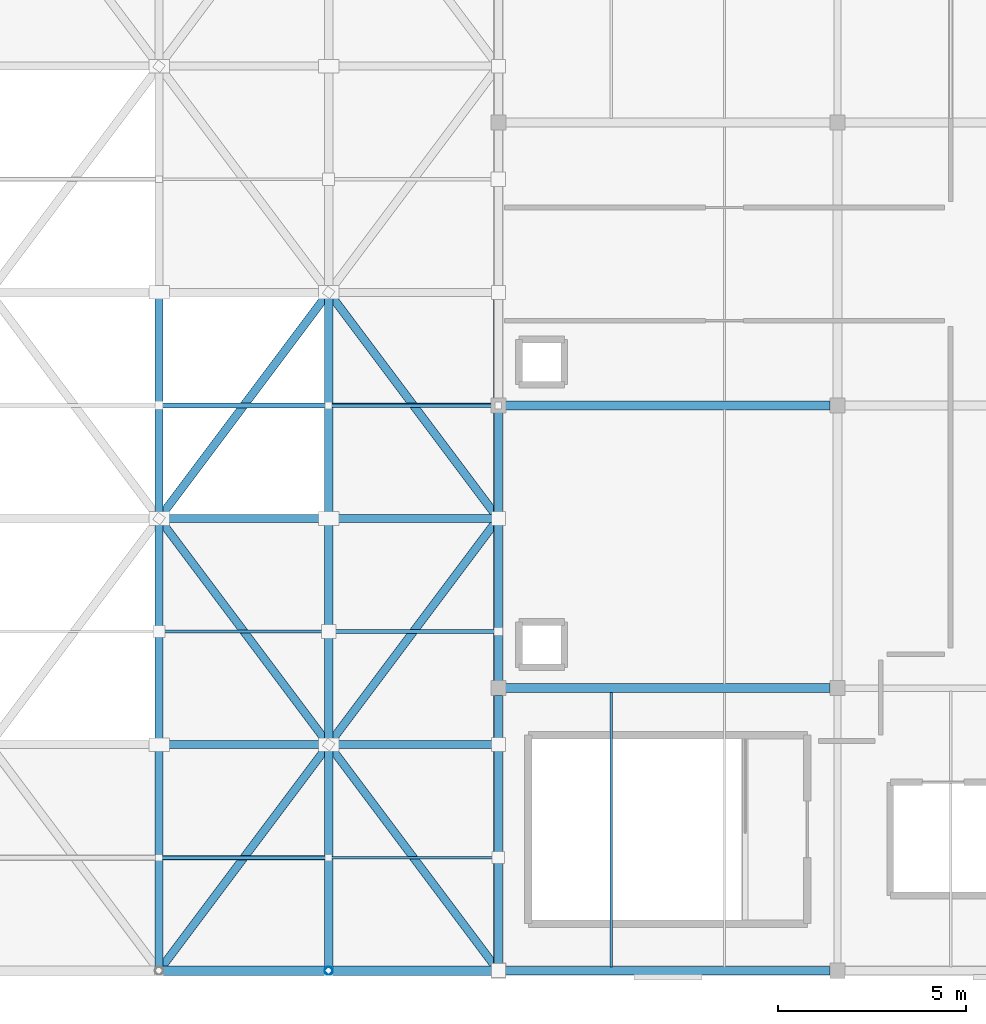
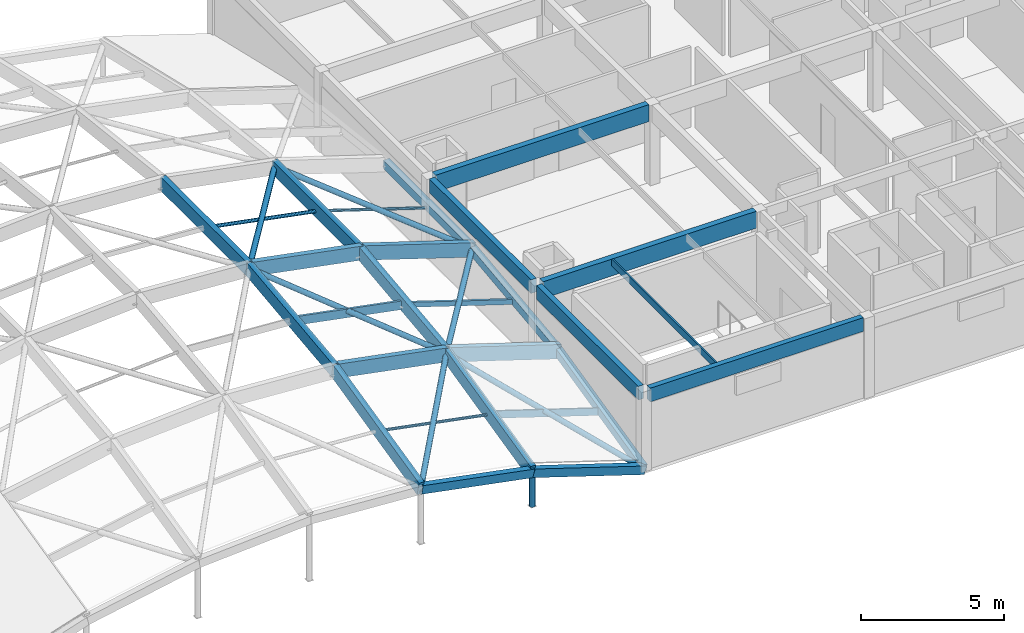
# One storey, part 16 of 81: 28 members, 6 beams.
"""IFC4 building model written with IfcOpenShell, lengths in metres."""

from ifc_helpers import new_model, si_unit, direction, frame, origin, origin_2d, place, context, subcontext, project, spatial, rectangle, hollow_rectangle, hollow_circle, extrude, material, material_profile, profile_set, type_object, element, save


model = new_model("IFC4")

# Units and contexts
model_context = context("Model", 3, precision=1e-05, world=origin(), true_north=direction((0.0, 1.0)))
body_context = subcontext(model_context, "Body", "Model", "MODEL_VIEW")
ifc_project = project(units=[si_unit("LENGTHUNIT", "METRE"), si_unit("AREAUNIT", "SQUARE_METRE"), si_unit("VOLUMEUNIT", "CUBIC_METRE"), si_unit("PLANEANGLEUNIT", "RADIAN"), si_unit("MASSUNIT", "GRAM", prefix="KILO")], contexts=[model_context])

# Site, building, storey
site_placement = place(None, origin())
site = spatial("IfcSite", under=ifc_project, at=site_placement, CompositionType="ELEMENT")
building_placement = place(site_placement, origin())
building = spatial("IfcBuilding", under=site, at=building_placement, Name="Marnridge Secondary College", CompositionType="ELEMENT")
storey_placement = place(building_placement, frame((0.0, 0.0, 8.5)))
storey = spatial("IfcBuildingStorey", under=building, at=storey_placement, Name="L02", CompositionType="ELEMENT", Elevation=8.5)

# Beams
ifc_material_1 = material(Name="Glulam timber GL18", Category="wood")
ifc_material_profile_1 = material_profile(ifc_material_1, rectangle(XDim=0.215087890625, YDim=0.5849609375, at=origin_2d()), Name="GL18 215x585")
ifc_profile_set_1 = profile_set([ifc_material_profile_1], Name="Glulam timber GL18")
beam_type_1 = type_object("IfcBeamType", Name="BM-GL585-EXT", PredefinedType="SPANDREL", material=ifc_profile_set_1)
beam_1_placement = place(storey_placement, frame((90.194091796875, 0.0, 3.12744140625), z_axis=(1.0, 0.0, 0.0), x_axis=(0.0, 1.0, 0.0)))
element("IfcBeam", 1, at=beam_1_placement, inside=storey, type_object=beam_type_1, Name="Beam BRF-L02-1262", PredefinedType="SPANDREL", context=body_context, shape_type="SweptSolid", body=[
    extrude(rectangle(XDim=0.215087890625, YDim=0.5849609375, at=origin_2d()), origin(), (0.0, 0.0, 1.0), 8.61181640625),
])
for number, where, z_axis, x_axis, name in (
    (2, (90.0, 0.194091796875, 3.12744140625), (0.0, 1.0, 0.0), (-1.0, 0.0, 0.0), "Beam BRF-L02-1264"),
    (3, (90.0, 7.694091796875, 3.12744140625), (0.0, 1.0, 0.0), (-1.0, 0.0, 0.0), "Beam BRF-L02-1267"),
):
    element("IfcBeam", number, at=place(storey_placement, frame(where, z_axis=z_axis, x_axis=x_axis)), inside=storey, type_object=beam_type_1, Name=name, PredefinedType="SPANDREL", context=body_context, shape_type="SweptSolid", body=[
        extrude(rectangle(XDim=0.215087890625, YDim=0.5849609375, at=origin_2d()), origin(), (0.0, 0.0, 1.0), 7.11181640625),
    ])
ifc_material_2 = material(Name="Glulam timber GL18", Category="wood")
ifc_material_profile_2 = material_profile(ifc_material_2, rectangle(XDim=0.239990234375, YDim=0.719970703125, at=origin_2d()), Name="GL18 240x720")
ifc_profile_set_2 = profile_set([ifc_material_profile_2], Name="Glulam timber GL18")
beam_type_2 = type_object("IfcBeamType", Name="BM-GL720-INT", PredefinedType="BEAM", material=ifc_profile_set_2)
for number, where, z_axis, x_axis, name in (
    (4, (90.194091796875, 7.5, 3.06005859375), (1.0, 0.0, 0.0), (0.0, 1.0, 0.0), "Beam BRF-L02-1263"),
    (5, (90.194091796875, 15.0, 3.06005859375), (1.0, 0.0, 0.0), (0.0, 1.0, 0.0), "Beam BRF-L02-1266"),
):
    element("IfcBeam", number, at=place(storey_placement, frame(where, z_axis=z_axis, x_axis=x_axis)), inside=storey, type_object=beam_type_2, Name=name, PredefinedType="BEAM", context=body_context, shape_type="SweptSolid", body=[
        extrude(rectangle(XDim=0.239990234375, YDim=0.719970703125, at=origin_2d()), origin(), (0.0, 0.0, 1.0), 8.61181640625),
    ])
ifc_material_3 = material(Name="Engineered timber LVL E13.2", Category="wood")
ifc_material_profile_3 = material_profile(ifc_material_3, rectangle(XDim=0.06298828125, YDim=0.300048828125, at=origin_2d()), Name="LVL 63x300")
ifc_profile_set_3 = profile_set([ifc_material_profile_3], Name="Engineered timber LVL E13.2")
beam_type_3 = type_object("IfcBeamType", Name="BM-LVL300-INT", PredefinedType="JOIST", material=ifc_profile_set_3)
beam_2_placement = place(storey_placement, frame((93.0, 0.1015625, 3.27001953125), z_axis=(0.0, 1.0, 0.0), x_axis=(-1.0, 0.0, 0.0)))
element("IfcBeam", 6, at=beam_2_placement, inside=storey, type_object=beam_type_3, Name="Beam BJ-L02-1293", PredefinedType="JOIST", context=body_context, shape_type="SweptSolid", body=[
    extrude(rectangle(XDim=0.06298828125, YDim=0.300048828125, at=origin_2d()), origin(), (0.0, 0.0, 1.0), 7.284423828125),
])

# Members
ifc_material_4 = material(Name="Cold-formed steel Grade C350L0 (AS/NZS 1163, fy = 350 MPa)", Category="steel")
ifc_material_profile_4 = material_profile(ifc_material_4, hollow_circle(Radius=0.109619140625, WallThickness=0.00830078125, at=origin_2d()), Name="219.1x8.2CHS")
ifc_profile_set_4 = profile_set([ifc_material_profile_4], Name="Cold-formed steel Grade C350L0 (AS/NZS 1163, fy = 350 MPa)")
member_type_1 = type_object("IfcMemberType", Name="MB-GS-CHS219", PredefinedType="BRACE", material=ifc_profile_set_4)
member_1_placement = place(storey_placement, frame((85.5, 0.0, -0.010009765625), z_axis=(0.0, 0.0, 1.0), x_axis=(1.0, 0.0, 0.0)))
element("IfcMember", 7, at=member_1_placement, inside=storey, type_object=member_type_1, Name="Gridshell boundary post GSP-0077", PredefinedType="BRACE", context=body_context, shape_type="SweptSolid", body=[
    extrude(hollow_circle(Radius=0.109619140625, WallThickness=0.00830078125, at=origin_2d()), origin(), (0.0, 0.0, 1.0), 1.474365234375),
])
member_2_placement = place(storey_placement, frame((81.0, 0.0, 2.31103515625), z_axis=(0.598443612157, 0.797924816209, 0.071980766501), x_axis=(-0.8, 0.6, 0.0)))
element("IfcMember", 8, at=member_2_placement, inside=storey, type_object=member_type_1, Name="Gridshell member GR-0231", PredefinedType="BRACE", context=body_context, shape_type="SweptSolid", body=[
    extrude(hollow_circle(Radius=0.109619140625, WallThickness=0.00830078125, at=origin_2d()), origin(), (0.0, 0.0, 1.0), 7.51953125),
])
member_3_placement = place(storey_placement, frame((85.5, 6.0, 2.852294921875), z_axis=(-0.587258145794, 0.783010861058, 0.20499234538), x_axis=(-0.8, -0.6, 0.0)))
element("IfcMember", 9, at=member_3_placement, inside=storey, type_object=member_type_1, Name="Gridshell member GR-0232", PredefinedType="BRACE", context=body_context, shape_type="SweptSolid", body=[
    extrude(hollow_circle(Radius=0.109619140625, WallThickness=0.00830078125, at=origin_2d()), origin(), (0.0, 0.0, 1.0), 7.662841796875),
])
member_4_placement = place(storey_placement, frame((81.0, 12.0, 4.423095703125), z_axis=(0.596033456409, 0.794711275212, -0.114795940226), x_axis=(-0.8, 0.6, 0.0)))
element("IfcMember", 10, at=member_4_placement, inside=storey, type_object=member_type_1, Name="Gridshell member GR-0233", PredefinedType="BRACE", context=body_context, shape_type="SweptSolid", body=[
    extrude(hollow_circle(Radius=0.109619140625, WallThickness=0.00830078125, at=origin_2d()), origin(), (0.0, 0.0, 1.0), 7.5498046875),
])
member_5_placement = place(storey_placement, frame((90.0, 0.0, 0.0), z_axis=(-0.560813147241, 0.747750862989, 0.355467664888), x_axis=(-0.8, -0.6, 0.0)))
element("IfcMember", 11, at=member_5_placement, inside=storey, type_object=member_type_1, Name="Gridshell member GR-0236", PredefinedType="BRACE", context=body_context, shape_type="SweptSolid", body=[
    extrude(hollow_circle(Radius=0.109619140625, WallThickness=0.00830078125, at=origin_2d()), origin(), (0.0, 0.0, 1.0), 8.024169921875),
])
member_6_placement = place(storey_placement, frame((85.5, 6.0, 2.852294921875), z_axis=(0.597098795333, 0.796131727111, -0.098220678573), x_axis=(-0.8, 0.6, 0.0)))
element("IfcMember", 12, at=member_6_placement, inside=storey, type_object=member_type_1, Name="Gridshell member GR-0237", PredefinedType="BRACE", context=body_context, shape_type="SweptSolid", body=[
    extrude(hollow_circle(Radius=0.109619140625, WallThickness=0.00830078125, at=origin_2d()), origin(), (0.0, 0.0, 1.0), 7.536376953125),
])
member_7_placement = place(storey_placement, frame((90.0, 12.0, 2.112060546875), z_axis=(-0.589174300139, 0.785565733518, 0.189103470031), x_axis=(-0.8, -0.6, 0.0)))
element("IfcMember", 13, at=member_7_placement, inside=storey, type_object=member_type_1, Name="Gridshell member GR-0238", PredefinedType="BRACE", context=body_context, shape_type="SweptSolid", body=[
    extrude(hollow_circle(Radius=0.109619140625, WallThickness=0.00830078125, at=origin_2d()), origin(), (0.0, 0.0, 1.0), 7.6376953125),
])
ifc_material_5 = material(Name="Glulam timber GL18", Category="wood")
ifc_material_profile_5 = material_profile(ifc_material_5, rectangle(XDim=0.215087890625, YDim=0.5849609375, at=origin_2d()), Name="GL18 215x585")
ifc_profile_set_5 = profile_set([ifc_material_profile_5], Name="Glulam timber GL18")
member_type_2 = type_object("IfcMemberType", Name="MB-GS-GL585", PredefinedType="CHORD", material=ifc_profile_set_5)
member_8_placement = place(storey_placement, frame((81.0, 0.0, 2.31103515625), z_axis=(0.0, 0.973554667504, 0.228454173482), x_axis=(-1.0, 0.0, 0.0)))
element("IfcMember", 14, at=member_8_placement, inside=storey, type_object=member_type_2, Name="Gridshell member GR-0160", PredefinedType="CHORD", context=body_context, shape_type="SweptSolid", body=[
    extrude(rectangle(XDim=0.215087890625, YDim=0.5849609375, at=origin_2d()), origin(), (0.0, 0.0, 1.0), 6.1630859375),
])
member_9_placement = place(storey_placement, frame((81.0, 6.0, 3.718994140625), z_axis=(0.0, 0.993184767812, 0.116550491145), x_axis=(-1.0, 0.0, 0.0)))
element("IfcMember", 15, at=member_9_placement, inside=storey, type_object=member_type_2, Name="Gridshell member GR-0161", PredefinedType="CHORD", context=body_context, shape_type="SweptSolid", body=[
    extrude(rectangle(XDim=0.215087890625, YDim=0.5849609375, at=origin_2d()), origin(), (0.0, 0.0, 1.0), 6.041259765625),
])
member_10_placement = place(storey_placement, frame((81.0, 12.0, 4.423095703125), z_axis=(0.0, 1.0, 0.0), x_axis=(-1.0, 0.0, 0.0)))
element("IfcMember", 16, at=member_10_placement, inside=storey, type_object=member_type_2, Name="Gridshell member GR-0162", PredefinedType="CHORD", context=body_context, shape_type="SweptSolid", body=[
    extrude(rectangle(XDim=0.215087890625, YDim=0.5849609375, at=origin_2d()), origin(), (0.0, 0.0, 1.0), 6.0),
])
member_11_placement = place(storey_placement, frame((85.5, 0.0, 1.4443359375), z_axis=(0.0, 0.973554667504, 0.228454173482), x_axis=(-1.0, 0.0, 0.0)))
element("IfcMember", 17, at=member_11_placement, inside=storey, type_object=member_type_2, Name="Gridshell member GR-0165", PredefinedType="CHORD", context=body_context, shape_type="SweptSolid", body=[
    extrude(rectangle(XDim=0.215087890625, YDim=0.5849609375, at=origin_2d()), origin(), (0.0, 0.0, 1.0), 6.1630859375),
])
member_12_placement = place(storey_placement, frame((85.5, 6.0, 2.852294921875), z_axis=(0.0, 0.993184767812, 0.116550491145), x_axis=(-1.0, 0.0, 0.0)))
element("IfcMember", 18, at=member_12_placement, inside=storey, type_object=member_type_2, Name="Gridshell member GR-0166", PredefinedType="CHORD", context=body_context, shape_type="SweptSolid", body=[
    extrude(rectangle(XDim=0.215087890625, YDim=0.5849609375, at=origin_2d()), origin(), (0.0, 0.0, 1.0), 6.041259765625),
])
member_13_placement = place(storey_placement, frame((85.5, 12.0, 3.556396484375), z_axis=(0.0, 1.0, 0.0), x_axis=(-1.0, 0.0, 0.0)))
element("IfcMember", 19, at=member_13_placement, inside=storey, type_object=member_type_2, Name="Gridshell member GR-0167", PredefinedType="CHORD", context=body_context, shape_type="SweptSolid", body=[
    extrude(rectangle(XDim=0.215087890625, YDim=0.5849609375, at=origin_2d()), origin(), (0.0, 0.0, 1.0), 6.0),
])
member_14_placement = place(storey_placement, frame((81.0, 6.0, 3.718994140625), z_axis=(0.981953209644, 0.0, -0.189124017699), x_axis=(0.0, 1.0, 0.0)))
element("IfcMember", 20, at=member_14_placement, inside=storey, type_object=member_type_2, Name="Gridshell member GR-0185", PredefinedType="CHORD", context=body_context, shape_type="SweptSolid", body=[
    extrude(rectangle(XDim=0.215087890625, YDim=0.5849609375, at=origin_2d()), origin(), (0.0, 0.0, 1.0), 4.582763671875),
])
member_15_placement = place(storey_placement, frame((85.5, 6.0, 2.852294921875), z_axis=(0.952157472021, 0.0, -0.305607834444), x_axis=(0.0, 1.0, 0.0)))
element("IfcMember", 21, at=member_15_placement, inside=storey, type_object=member_type_2, Name="Gridshell member GR-0186", PredefinedType="CHORD", context=body_context, shape_type="SweptSolid", body=[
    extrude(rectangle(XDim=0.215087890625, YDim=0.5849609375, at=origin_2d()), origin(), (0.0, 0.0, 1.0), 4.72607421875),
])
member_16_placement = place(storey_placement, frame((81.0, 12.0, 4.423095703125), z_axis=(0.981953209644, 0.0, -0.189124017699), x_axis=(0.0, 1.0, 0.0)))
element("IfcMember", 22, at=member_16_placement, inside=storey, type_object=member_type_2, Name="Gridshell member GR-0191", PredefinedType="CHORD", context=body_context, shape_type="SweptSolid", body=[
    extrude(rectangle(XDim=0.215087890625, YDim=0.5849609375, at=origin_2d()), origin(), (0.0, 0.0, 1.0), 4.582763671875),
])
member_17_placement = place(storey_placement, frame((85.5, 12.0, 3.556396484375), z_axis=(0.952157472021, 0.0, -0.305607834444), x_axis=(0.0, 1.0, 0.0)))
element("IfcMember", 23, at=member_17_placement, inside=storey, type_object=member_type_2, Name="Gridshell member GR-0192", PredefinedType="CHORD", context=body_context, shape_type="SweptSolid", body=[
    extrude(rectangle(XDim=0.215087890625, YDim=0.5849609375, at=origin_2d()), origin(), (0.0, 0.0, 1.0), 4.72607421875),
])
ifc_material_6 = material(Name="Cold-formed steel Grade C350L0 (AS/NZS 1163, fy = 350 MPa)", Category="steel")
ifc_material_profile_6 = material_profile(ifc_material_6, hollow_rectangle(XDim=0.25, YDim=0.35009765625, WallThickness=0.010009765625, at=origin_2d()), Name="350x250x10.0RHS")
ifc_profile_set_6 = profile_set([ifc_material_profile_6], Name="Cold-formed steel Grade C350L0 (AS/NZS 1163, fy = 350 MPa)")
member_type_3 = type_object("IfcMemberType", Name="MB-GS-RHS350", PredefinedType="CHORD", material=ifc_profile_set_6)
member_18_placement = place(storey_placement, frame((90.0, 0.0, 0.0), z_axis=(0.0, 0.973554667504, 0.228454173482), x_axis=(-1.0, 0.0, 0.0)))
element("IfcMember", 24, at=member_18_placement, inside=storey, type_object=member_type_3, Name="Gridshell member GR-0170", PredefinedType="CHORD", context=body_context, shape_type="SweptSolid", body=[
    extrude(hollow_rectangle(XDim=0.25, YDim=0.35009765625, WallThickness=0.010009765625, at=origin_2d()), origin(), (0.0, 0.0, 1.0), 6.1630859375),
])
member_19_placement = place(storey_placement, frame((90.0, 6.0, 1.407958984375), z_axis=(0.0, 0.993184767812, 0.116550491145), x_axis=(-1.0, 0.0, 0.0)))
element("IfcMember", 25, at=member_19_placement, inside=storey, type_object=member_type_3, Name="Gridshell member GR-0171", PredefinedType="CHORD", context=body_context, shape_type="SweptSolid", body=[
    extrude(hollow_rectangle(XDim=0.25, YDim=0.35009765625, WallThickness=0.010009765625, at=origin_2d()), origin(), (0.0, 0.0, 1.0), 6.041259765625),
])
member_20_placement = place(storey_placement, frame((90.0, 12.0, 2.112060546875), z_axis=(0.0, 1.0, 0.0), x_axis=(-1.0, 0.0, 0.0)))
element("IfcMember", 26, at=member_20_placement, inside=storey, type_object=member_type_3, Name="Gridshell member GR-0172", PredefinedType="CHORD", context=body_context, shape_type="SweptSolid", body=[
    extrude(hollow_rectangle(XDim=0.25, YDim=0.35009765625, WallThickness=0.010009765625, at=origin_2d()), origin(), (0.0, 0.0, 1.0), 6.0),
])
member_21_placement = place(storey_placement, frame((81.0, 0.0, 2.31103515625), z_axis=(0.981953209644, 0.0, -0.189124017699), x_axis=(0.0, 1.0, 0.0)))
element("IfcMember", 27, at=member_21_placement, inside=storey, type_object=member_type_3, Name="Gridshell member GR-0179", PredefinedType="CHORD", context=body_context, shape_type="SweptSolid", body=[
    extrude(hollow_rectangle(XDim=0.25, YDim=0.35009765625, WallThickness=0.010009765625, at=origin_2d()), origin(), (0.0, 0.0, 1.0), 4.582763671875),
])
member_22_placement = place(storey_placement, frame((85.5, 0.0, 1.4443359375), z_axis=(0.952157472021, 0.0, -0.305607834444), x_axis=(0.0, 1.0, 0.0)))
element("IfcMember", 28, at=member_22_placement, inside=storey, type_object=member_type_3, Name="Gridshell member GR-0180", PredefinedType="CHORD", context=body_context, shape_type="SweptSolid", body=[
    extrude(hollow_rectangle(XDim=0.25, YDim=0.35009765625, WallThickness=0.010009765625, at=origin_2d()), origin(), (0.0, 0.0, 1.0), 4.72607421875),
])
ifc_material_7 = material(Name="Cold-formed steel Grade C350L0 (AS/NZS 1163, fy = 350 MPa)", Category="steel")
ifc_material_profile_7 = material_profile(ifc_material_7, hollow_circle(Radius=0.05712890625, WallThickness=0.00439453125, at=origin_2d()), Name="114.3x4.5CHS")
ifc_profile_set_7 = profile_set([ifc_material_profile_7], Name="Cold-formed steel Grade C350L0 (AS/NZS 1163, fy = 350 MPa)")
member_type_4 = type_object("IfcMemberType", Name="MB-PR-CHS114", PredefinedType="PURLIN", material=ifc_profile_set_7)
member_23_placement = place(storey_placement, frame((81.0, 3.0, 2.93505859375), z_axis=(0.981953209644, 0.0, -0.189124017699), x_axis=(0.0, 1.0, 0.0)))
element("IfcMember", 29, at=member_23_placement, inside=storey, type_object=member_type_4, Name="Gridshell purlin PR-0099", PredefinedType="PURLIN", context=body_context, shape_type="SweptSolid", body=[
    extrude(hollow_circle(Radius=0.05712890625, WallThickness=0.00439453125, at=origin_2d()), origin(), (0.0, 0.0, 1.0), 4.582763671875),
])
member_24_placement = place(storey_placement, frame((85.5, 15.0, 3.476318359375), z_axis=(0.952157472021, 0.0, -0.305607834444), x_axis=(0.0, 1.0, 0.0)))
element("IfcMember", 30, at=member_24_placement, inside=storey, type_object=member_type_4, Name="Gridshell purlin PR-0106", PredefinedType="PURLIN", context=body_context, shape_type="SweptSolid", body=[
    extrude(hollow_circle(Radius=0.05712890625, WallThickness=0.00439453125, at=origin_2d()), origin(), (0.0, 0.0, 1.0), 4.72607421875),
])
ifc_material_8 = material(Name="Cold-formed steel Grade C350L0 (AS/NZS 1163, fy = 350 MPa)", Category="steel")
ifc_material_profile_8 = material_profile(ifc_material_8, hollow_circle(Radius=0.06982421875, WallThickness=0.00537109375, at=origin_2d()), Name="139.7x5.4CHS")
ifc_profile_set_8 = profile_set([ifc_material_profile_8], Name="Cold-formed steel Grade C350L0 (AS/NZS 1163, fy = 350 MPa)")
member_type_5 = type_object("IfcMemberType", Name="MB-PR-CHS139", PredefinedType="PURLIN", material=ifc_profile_set_8)
member_25_placement = place(storey_placement, frame((81.0, 15.0, 4.343017578125), z_axis=(0.981953209644, 0.0, -0.189124017699), x_axis=(0.0, 1.0, 0.0)))
element("IfcMember", 31, at=member_25_placement, inside=storey, type_object=member_type_5, Name="Gridshell purlin PR-0101", PredefinedType="PURLIN", context=body_context, shape_type="SweptSolid", body=[
    extrude(hollow_circle(Radius=0.06982421875, WallThickness=0.00537109375, at=origin_2d()), origin(), (0.0, 0.0, 1.0), 4.582763671875),
])
ifc_material_9 = material(Name="Engineered timber LVL E13.2", Category="wood")
ifc_material_profile_9 = material_profile(ifc_material_9, rectangle(XDim=0.06298828125, YDim=0.300048828125, at=origin_2d()), Name="LVL 63x300")
ifc_profile_set_9 = profile_set([ifc_material_profile_9], Name="Engineered timber LVL E13.2")
member_type_6 = type_object("IfcMemberType", Name="MB-PR-LVL300", PredefinedType="PURLIN", material=ifc_profile_set_9)
member_26_placement = place(storey_placement, frame((85.5, 3.0, 2.068359375), z_axis=(0.952157472021, 0.0, -0.305607834444), x_axis=(0.0, 1.0, 0.0)))
element("IfcMember", 32, at=member_26_placement, inside=storey, type_object=member_type_6, Name="Gridshell purlin PR-0104", PredefinedType="PURLIN", context=body_context, shape_type="SweptSolid", body=[
    extrude(rectangle(XDim=0.06298828125, YDim=0.300048828125, at=origin_2d()), origin(), (0.0, 0.0, 1.0), 4.72607421875),
])
ifc_material_10 = material(Name="Engineered timber LVL E13.2", Category="wood")
ifc_material_profile_10 = material_profile(ifc_material_10, rectangle(XDim=0.090087890625, YDim=0.360107421875, at=origin_2d()), Name="LVL 90x360")
ifc_profile_set_10 = profile_set([ifc_material_profile_10], Name="Engineered timber LVL E13.2")
member_type_7 = type_object("IfcMemberType", Name="MB-PR-LVL360", PredefinedType="PURLIN", material=ifc_profile_set_10)
member_27_placement = place(storey_placement, frame((81.0, 9.0, 3.9912109375), z_axis=(0.981953209644, 0.0, -0.189124017699), x_axis=(0.0, 1.0, 0.0)))
element("IfcMember", 33, at=member_27_placement, inside=storey, type_object=member_type_7, Name="Gridshell purlin PR-0100", PredefinedType="PURLIN", context=body_context, shape_type="SweptSolid", body=[
    extrude(rectangle(XDim=0.090087890625, YDim=0.360107421875, at=origin_2d()), origin(), (0.0, 0.0, 1.0), 4.582763671875),
])
ifc_material_11 = material(Name="Cold-formed steel Grade C350L0 (AS/NZS 1163, fy = 350 MPa)", Category="steel")
ifc_material_profile_11 = material_profile(ifc_material_11, hollow_rectangle(XDim=0.10009765625, YDim=0.199951171875, WallThickness=0.006103515625, at=origin_2d()), Name="200x100x6.0RHS")
ifc_profile_set_11 = profile_set([ifc_material_profile_11], Name="Cold-formed steel Grade C350L0 (AS/NZS 1163, fy = 350 MPa)")
member_type_8 = type_object("IfcMemberType", Name="MB-PR-RHS200", PredefinedType="PURLIN", material=ifc_profile_set_11)
member_28_placement = place(storey_placement, frame((85.5, 9.0, 3.12451171875), z_axis=(0.952142439356, 0.0, -0.30565466654), x_axis=(0.0, 1.0, 0.0)))
element("IfcMember", 34, at=member_28_placement, inside=storey, type_object=member_type_8, Name="Gridshell purlin PR-0105", PredefinedType="PURLIN", context=body_context, shape_type="SweptSolid", body=[
    extrude(hollow_rectangle(XDim=0.10009765625, YDim=0.199951171875, WallThickness=0.006103515625, at=origin_2d()), origin(), (0.0, 0.0, 1.0), 4.72607421875),
])

save(model, "model.ifc")
